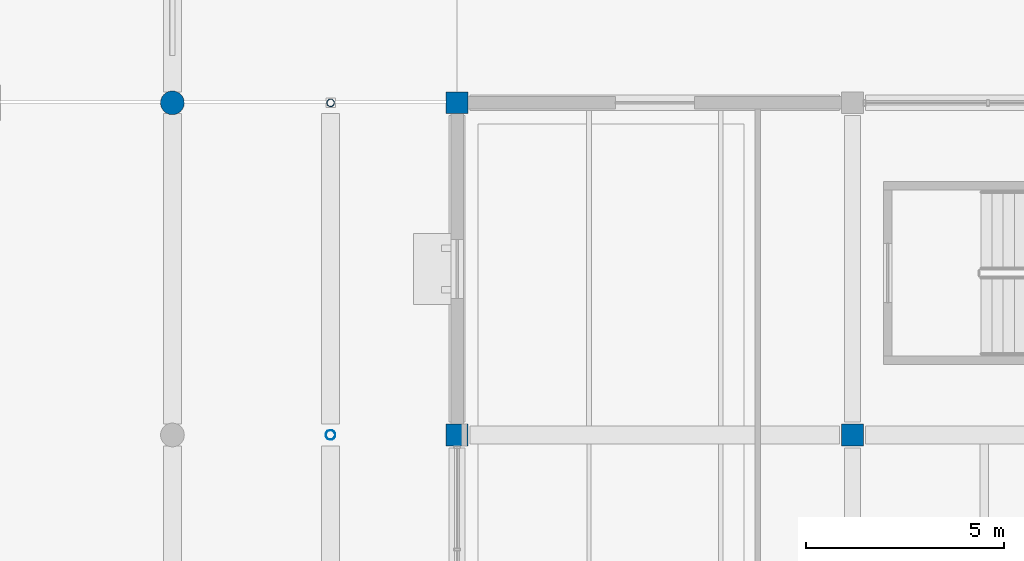
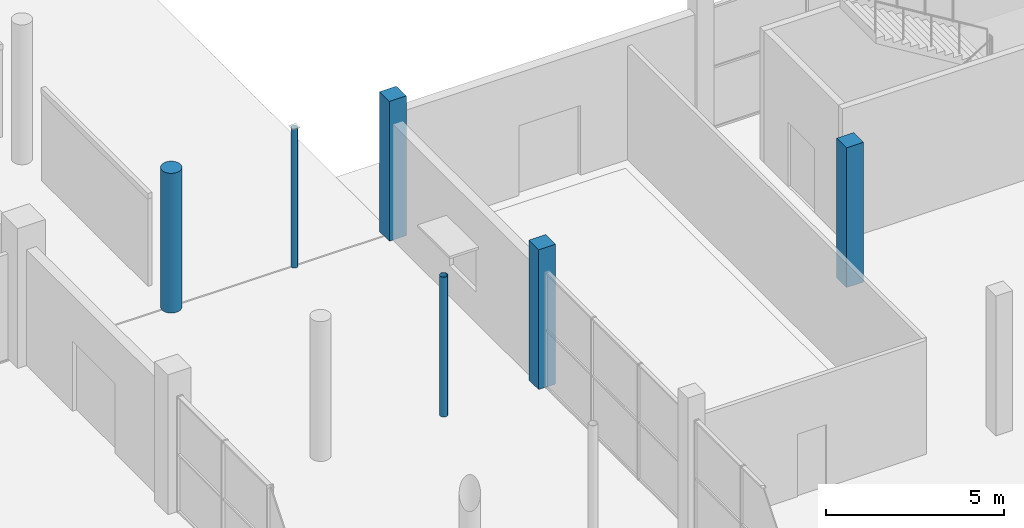
# One storey, part 10 of 130: 6 columns.
"""IFC4 building model written with IfcOpenShell, lengths in metres."""

from ifc_helpers import new_model, si_unit, direction, frame, origin, origin_2d, place, context, subcontext, project, spatial, rectangle, circle, hollow_circle, extrude, material, material_profile, profile_set, type_object, element, save


model = new_model("IFC4")

# Units and contexts
model_context = context("Model", 3, precision=1e-05, world=origin(), true_north=direction((0.0, 1.0)))
body_context = subcontext(model_context, "Body", "Model", "MODEL_VIEW")
ifc_project = project(units=[si_unit("LENGTHUNIT", "METRE"), si_unit("AREAUNIT", "SQUARE_METRE"), si_unit("VOLUMEUNIT", "CUBIC_METRE"), si_unit("PLANEANGLEUNIT", "RADIAN"), si_unit("MASSUNIT", "GRAM", prefix="KILO"), si_unit("THERMODYNAMICTEMPERATUREUNIT", "KELVIN")], contexts=[model_context])

# Site, building, storey
site_placement = place(None, origin())
site = spatial("IfcSite", under=ifc_project, at=site_placement, CompositionType="ELEMENT")
building_placement = place(site_placement, origin())
building = spatial("IfcBuilding", under=site, at=building_placement, Name="Nduvali Passage Aquatics Centre", CompositionType="ELEMENT")
storey_placement = place(building_placement, origin())
storey = spatial("IfcBuildingStorey", under=building, at=storey_placement, Name="L00", CompositionType="ELEMENT", Elevation=0.0)

# Columns
ifc_material_1 = material(Name="Concrete C40/50", Category="concrete")
ifc_material_profile_1 = material_profile(ifc_material_1, rectangle(XDim=0.550048828125, YDim=0.550048828125, at=origin_2d()), Name="RC 550x550")
ifc_profile_set_1 = profile_set([ifc_material_profile_1], Name="Concrete C40/50")
column_type_1 = type_object("IfcColumnType", Name="STR-COL-RC550", PredefinedType="COLUMN", material=ifc_profile_set_1)
column_1_placement = place(storey_placement, frame((148.0, 84.0, 0.0), z_axis=(0.0, 0.0, 1.0), x_axis=(1.0, 0.0, 0.0)))
element("IfcColumn", 1, at=column_1_placement, inside=storey, type_object=column_type_1, Name="L00 Column C4 (148.0, 84.0)", PredefinedType="COLUMN", context=body_context, shape_type="SweptSolid", body=[
    extrude(rectangle(XDim=0.550048828125, YDim=0.550048828125, at=origin_2d()), origin(), (0.0, 0.0, 1.0), 4.800048828125),
])
ifc_material_profile_2 = material_profile(ifc_material_1, rectangle(XDim=0.550048828125, YDim=0.550048828125, at=origin_2d()), Name="RC 550x550")
ifc_profile_set_2 = profile_set([ifc_material_profile_2], Name="Concrete C40/50")
column_type_2 = type_object("IfcColumnType", Name="STR-COL-RC550-EXT", PredefinedType="COLUMN", material=ifc_profile_set_2)
for number, where, z_axis, x_axis, name in (
    (2, (138.0, 84.0, 0.0), (0.0, 0.0, 1.0), (1.0, 0.0, 0.0), "L00 Column C4E (138.0, 84.0)"),
    (3, (138.0, 92.39990234375, 0.0), (0.0, 0.0, 1.0), (1.0, 0.0, 0.0), "L00 Column C4E (138.0, 92.4)"),
):
    element("IfcColumn", number, at=place(storey_placement, frame(where, z_axis=z_axis, x_axis=x_axis)), inside=storey, type_object=column_type_2, Name=name, PredefinedType="COLUMN", context=body_context, shape_type="SweptSolid", body=[
        extrude(rectangle(XDim=0.550048828125, YDim=0.550048828125, at=origin_2d()), origin(), (0.0, 0.0, 1.0), 4.800048828125),
    ])
ifc_material_2 = material(Name="Steel S355", Category="steel")
ifc_material_profile_3 = material_profile(ifc_material_2, hollow_circle(Radius=0.096923828125, WallThickness=0.008056640625, at=origin_2d()), Name="CHS 193.7x8.0")
ifc_profile_set_3 = profile_set([ifc_material_profile_3], Name="Steel S355")
column_type_3 = type_object("IfcColumnType", Name="STR-PIL-CHS193-EXT", PredefinedType="PILASTER", material=ifc_profile_set_3)
column_2_placement = place(storey_placement, frame((134.800048828125, 92.39990234375, 0.0), z_axis=(0.0, 0.0, 1.0), x_axis=(1.0, 0.0, 0.0)))
element("IfcColumn", 4, at=column_2_placement, inside=storey, type_object=column_type_3, Name="L00 Column CP3E (134.8, 92.4)", PredefinedType="PILASTER", context=body_context, shape_type="SweptSolid", body=[
    extrude(hollow_circle(Radius=0.096923828125, WallThickness=0.008056640625, at=origin_2d()), origin(), (0.0, 0.0, 1.0), 4.783935546875),
])
ifc_material_profile_4 = material_profile(ifc_material_2, hollow_circle(Radius=0.122314453125, WallThickness=0.008056640625, at=origin_2d()), Name="CHS 244.5x8.0")
ifc_profile_set_4 = profile_set([ifc_material_profile_4], Name="Steel S355")
column_type_4 = type_object("IfcColumnType", Name="STR-PIL-CHS244-EXT", PredefinedType="PILASTER", material=ifc_profile_set_4)
column_3_placement = place(storey_placement, frame((134.800048828125, 84.0, 0.0), z_axis=(0.0, 0.0, 1.0), x_axis=(1.0, 0.0, 0.0)))
element("IfcColumn", 5, at=column_3_placement, inside=storey, type_object=column_type_4, Name="L00 Column CP2AE (134.8, 84.0)", PredefinedType="PILASTER", context=body_context, shape_type="SweptSolid", body=[
    extrude(hollow_circle(Radius=0.122314453125, WallThickness=0.008056640625, at=origin_2d()), origin(), (0.0, 0.0, 1.0), 4.800048828125),
])
ifc_material_profile_5 = material_profile(ifc_material_1, circle(Radius=0.300048828125, at=origin_2d()), Name="RC D600")
ifc_profile_set_5 = profile_set([ifc_material_profile_5], Name="Concrete C40/50")
column_type_5 = type_object("IfcColumnType", Name="STR-PIL-D600-EXT", PredefinedType="PILASTER", material=ifc_profile_set_5)
column_4_placement = place(storey_placement, frame((130.800048828125, 92.39990234375, 0.0), z_axis=(0.0, 0.0, 1.0), x_axis=(1.0, 0.0, 0.0)))
element("IfcColumn", 6, at=column_4_placement, inside=storey, type_object=column_type_5, Name="L00 Column CP1E (130.8, 92.4)", PredefinedType="PILASTER", context=body_context, shape_type="SweptSolid", body=[
    extrude(circle(Radius=0.300048828125, at=origin_2d()), origin(), (0.0, 0.0, 1.0), 4.800048828125),
])

save(model, "model.ifc")
